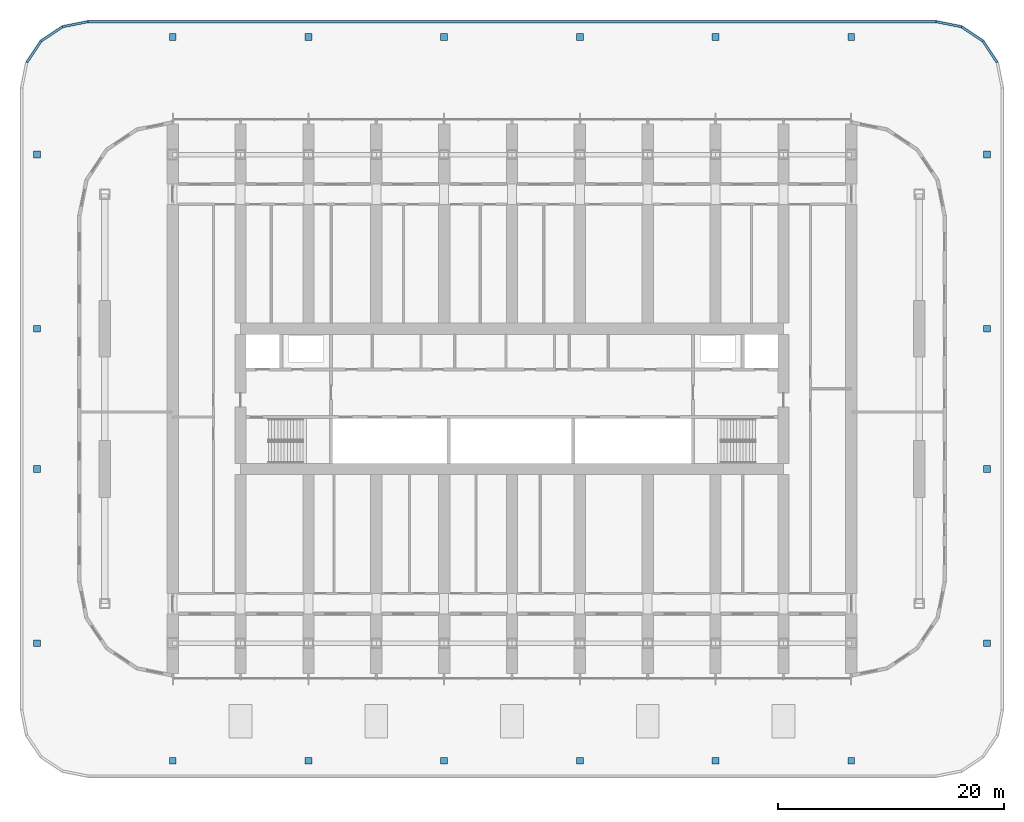
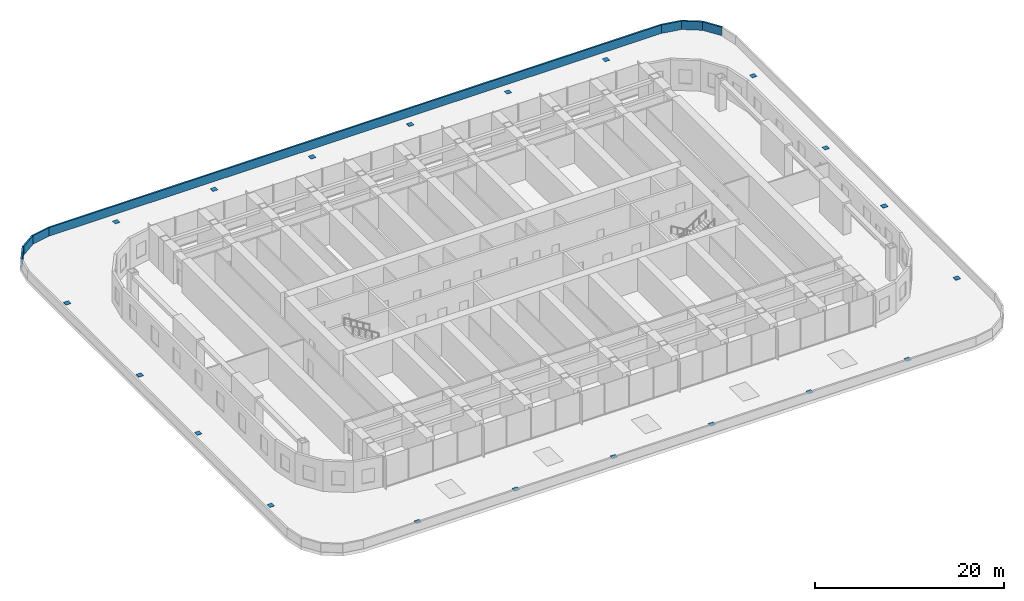
# One storey, part 18 of 23: 20 discrete accessories, 7 walls.
"""IFC4 building model written with IfcOpenShell, lengths in metres."""

from ifc_helpers import new_model, si_unit, direction, frame, frame_2d, origin, origin_2d, place, context, subcontext, project, spatial, rectangle, extrude, material, layer, layer_set, type_object, element, save


model = new_model("IFC4")

# Units and contexts
model_context = context("Model", 3, precision=1e-05, world=origin(), true_north=direction((0.0, 1.0)))
body_context = subcontext(model_context, "Body", "Model", "MODEL_VIEW")
ifc_project = project(units=[si_unit("LENGTHUNIT", "METRE"), si_unit("AREAUNIT", "SQUARE_METRE"), si_unit("VOLUMEUNIT", "CUBIC_METRE"), si_unit("PLANEANGLEUNIT", "RADIAN"), si_unit("MASSUNIT", "GRAM", prefix="KILO")], contexts=[model_context])

# Site, building, storey
site_placement = place(None, origin())
site = spatial("IfcSite", under=ifc_project, at=site_placement, CompositionType="ELEMENT")
building_placement = place(site_placement, origin())
building = spatial("IfcBuilding", under=site, at=building_placement, Name="Orbita Commons", CompositionType="ELEMENT")
storey_placement = place(building_placement, frame((0.0, 0.0, 16.0)))
storey = spatial("IfcBuildingStorey", under=building, at=storey_placement, Name="L03", CompositionType="ELEMENT", Elevation=16.0)

# Walls
ifc_material_1 = material(Name="Precast concrete C40/50, white board-marked finish", Category="concrete")
ifc_layer_1 = layer(ifc_material_1, 0.199951171875)
ifc_layer_set_1 = layer_set([ifc_layer_1], Name="Precast concrete C40/50, white board-marked finish")
wall_type = type_object("IfcWallType", Name="Precast parapet 200", PredefinedType="PARAPET", material=ifc_layer_set_1)
for number, where, z_axis, x_axis, name in (
    (1, (-0.902099609375, 61.737548828125, 0.0), (0.0, 0.0, 1.0), (0.555588874493, 0.831457156166, 0.0), "Parapet L03 1.7"),
    (2, (0.365478515625, 63.634521484375, 0.0), (0.0, 0.0, 1.0), (0.831457156166, 0.555588874493, 0.0), "Parapet L03 1.8"),
):
    element("IfcWall", number, at=place(storey_placement, frame(where, z_axis=z_axis, x_axis=x_axis)), inside=storey, type_object=wall_type, Name=name, PredefinedType="PARAPET", context=body_context, shape_type="SweptSolid", body=[
        extrude(rectangle(XDim=2.281494140625, YDim=0.199951171875, at=frame_2d((1.140625, 0.0))), origin(), (0.0, 0.0, 1.0), 1.10009765625),
    ])
wall_1_placement = place(storey_placement, frame((2.262451171875, 64.902099609375, 0.0), z_axis=(0.0, 0.0, 1.0), x_axis=(0.980788646717, 0.195073397651, 0.0)))
element("IfcWall", 3, at=wall_1_placement, inside=storey, type_object=wall_type, Name="Parapet L03 1.9", PredefinedType="PARAPET", context=body_context, shape_type="SweptSolid", body=[
    extrude(rectangle(XDim=2.296630859375, YDim=0.199951171875, at=frame_2d((1.1484375, 0.0))), origin(), (0.0, 0.0, 1.0), 1.10009765625),
])
wall_2_placement = place(storey_placement, frame((4.514892578125, 65.35009765625, 0.0), z_axis=(0.0, 0.0, 1.0), x_axis=(1.0, 0.0, 0.0)))
element("IfcWall", 4, at=wall_2_placement, inside=storey, type_object=wall_type, Name="Parapet L03 1.10", PredefinedType="PARAPET", context=body_context, shape_type="SweptSolid", body=[
    extrude(rectangle(XDim=74.97021484375, YDim=0.199951171875, at=frame_2d((37.485107421875, 0.0))), origin(), (0.0, 0.0, 1.0), 1.10009765625),
])
wall_3_placement = place(storey_placement, frame((79.485107421875, 65.35009765625, 0.0), z_axis=(0.0, 0.0, 1.0), x_axis=(0.980788646717, -0.195073397651, 0.0)))
element("IfcWall", 5, at=wall_3_placement, inside=storey, type_object=wall_type, Name="Parapet L03 1.11", PredefinedType="PARAPET", context=body_context, shape_type="SweptSolid", body=[
    extrude(rectangle(XDim=2.296630859375, YDim=0.199951171875, at=frame_2d((1.1484375, 0.0))), origin(), (0.0, 0.0, 1.0), 1.10009765625),
])
for number, where, z_axis, x_axis, name in (
    (6, (81.737548828125, 64.902099609375, 0.0), (0.0, 0.0, 1.0), (0.831457156166, -0.555588874493, 0.0), "Parapet L03 1.12"),
    (7, (83.634521484375, 63.634521484375, 0.0), (0.0, 0.0, 1.0), (0.555588874493, -0.831457156166, 0.0), "Parapet L03 1.13"),
):
    element("IfcWall", number, at=place(storey_placement, frame(where, z_axis=z_axis, x_axis=x_axis)), inside=storey, type_object=wall_type, Name=name, PredefinedType="PARAPET", context=body_context, shape_type="SweptSolid", body=[
        extrude(rectangle(XDim=2.281494140625, YDim=0.199951171875, at=frame_2d((1.140625, 0.0))), origin(), (0.0, 0.0, 1.0), 1.10009765625),
    ])

# Discrete accessories
ifc_material_2 = material(Name="Steel ASTM A572 Gr 50 welded plate", Category="steel")
ifc_layer_2 = layer(ifc_material_2, 0.02001953125)
ifc_layer_set_2 = layer_set([ifc_layer_2], Name="Steel ASTM A572 Gr 50 welded plate")
discrete_accessory_type = type_object("IfcDiscreteAccessoryType", Name="Column end plate BOX 600x600x60", PredefinedType="NOTDEFINED", material=ifc_layer_set_2)
for number, where, z_axis, x_axis, name in (
    (8, (12.0, 0.0, 0.0), (0.0, 0.0, 1.0), (1.0, 0.0, 0.0), "Column end plate 3/A L02"),
    (9, (12.0, 64.0, 0.0), (0.0, 0.0, 1.0), (1.0, 0.0, 0.0), "Column end plate 3/F L02"),
    (10, (24.0, 0.0, 0.0), (0.0, 0.0, 1.0), (1.0, 0.0, 0.0), "Column end plate 5/A L02"),
    (11, (24.0, 64.0, 0.0), (0.0, 0.0, 1.0), (1.0, 0.0, 0.0), "Column end plate 5/F L02"),
    (12, (36.0, 0.0, 0.0), (0.0, 0.0, 1.0), (1.0, 0.0, 0.0), "Column end plate 7/A L02"),
    (13, (36.0, 64.0, 0.0), (0.0, 0.0, 1.0), (1.0, 0.0, 0.0), "Column end plate 7/F L02"),
    (14, (48.0, 0.0, 0.0), (0.0, 0.0, 1.0), (1.0, 0.0, 0.0), "Column end plate 9/A L02"),
    (15, (48.0, 64.0, 0.0), (0.0, 0.0, 1.0), (1.0, 0.0, 0.0), "Column end plate 9/F L02"),
    (16, (60.0, 0.0, 0.0), (0.0, 0.0, 1.0), (1.0, 0.0, 0.0), "Column end plate 11/A L02"),
    (17, (60.0, 64.0, 0.0), (0.0, 0.0, 1.0), (1.0, 0.0, 0.0), "Column end plate 11/F L02"),
    (18, (72.0, 0.0, 0.0), (0.0, 0.0, 1.0), (1.0, 0.0, 0.0), "Column end plate 13/A L02"),
    (19, (72.0, 64.0, 0.0), (0.0, 0.0, 1.0), (1.0, 0.0, 0.0), "Column end plate 13/F L02"),
    (20, (0.0, 10.39990234375, 0.0), (0.0, 0.0, 1.0), (1.0, 0.0, 0.0), "Column end plate 1/B L02"),
    (21, (0.0, 25.800048828125, 0.0), (0.0, 0.0, 1.0), (1.0, 0.0, 0.0), "Column end plate 1/C L02"),
    (22, (0.0, 38.199951171875, 0.0), (0.0, 0.0, 1.0), (1.0, 0.0, 0.0), "Column end plate 1/D L02"),
    (23, (0.0, 53.60009765625, 0.0), (0.0, 0.0, 1.0), (1.0, 0.0, 0.0), "Column end plate 1/E L02"),
    (24, (84.0, 10.39990234375, 0.0), (0.0, 0.0, 1.0), (1.0, 0.0, 0.0), "Column end plate 15/B L02"),
    (25, (84.0, 25.800048828125, 0.0), (0.0, 0.0, 1.0), (1.0, 0.0, 0.0), "Column end plate 15/C L02"),
    (26, (84.0, 38.199951171875, 0.0), (0.0, 0.0, 1.0), (1.0, 0.0, 0.0), "Column end plate 15/D L02"),
    (27, (84.0, 53.60009765625, 0.0), (0.0, 0.0, 1.0), (1.0, 0.0, 0.0), "Column end plate 15/E L02"),
):
    element("IfcDiscreteAccessory", number, at=place(storey_placement, frame(where, z_axis=z_axis, x_axis=x_axis)), inside=storey, type_object=discrete_accessory_type, Name=name, PredefinedType="NOTDEFINED", context=body_context, shape_type="SweptSolid", body=[
        extrude(rectangle(XDim=0.60009765625, YDim=0.60009765625, at=origin_2d()), origin(), (0.0, 0.0, 1.0), 0.02001953125),
    ])

save(model, "model.ifc")
